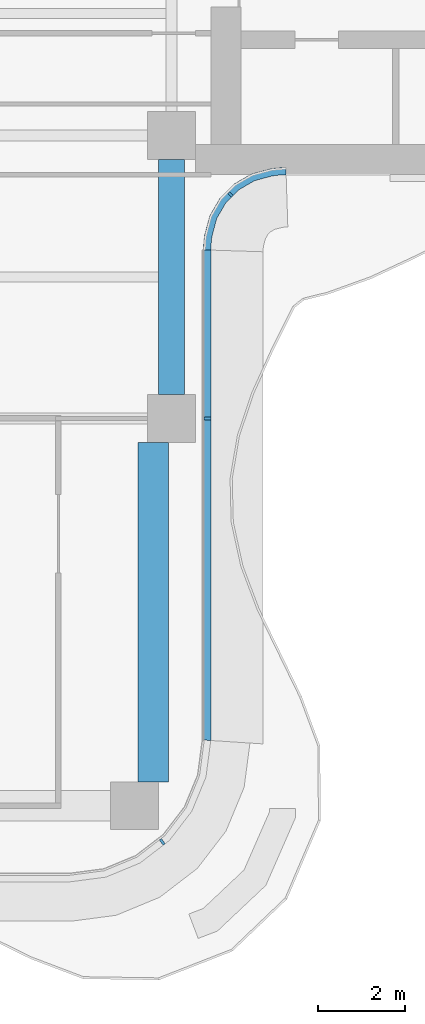
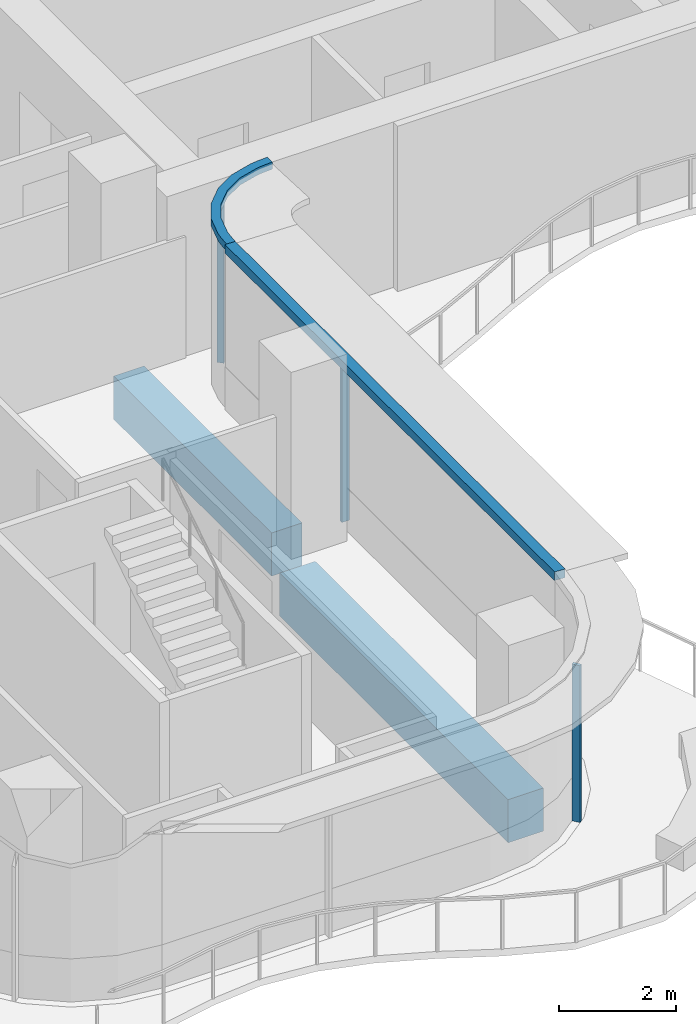
# One storey, part 5 of 16: 5 members, 2 beams, 3 elements without a shape of their own.
"""IFC4 building model written with IfcOpenShell, lengths in metres."""

from ifc_helpers import new_model, si_unit, direction, frame, origin, origin_2d, place, context, subcontext, project, spatial, polyline, rectangle, outline, extrude, source, transform, mapped, material, layer, layer_set, material_profile, profile_set, type_object, element, aggregate, save


model = new_model("IFC4")

# Units and contexts
model_context = context("Model", 3, precision=1e-05, world=origin(), true_north=direction((0.0, 1.0)))
body_context = subcontext(model_context, "Body", "Model", "MODEL_VIEW")
ifc_project = project(units=[si_unit("LENGTHUNIT", "METRE"), si_unit("AREAUNIT", "SQUARE_METRE"), si_unit("VOLUMEUNIT", "CUBIC_METRE"), si_unit("PLANEANGLEUNIT", "RADIAN"), si_unit("MASSUNIT", "GRAM", prefix="KILO")], contexts=[model_context])

# Site, building, storey
site_placement = place(None, origin())
site = spatial("IfcSite", under=ifc_project, at=site_placement, CompositionType="ELEMENT")
building_placement = place(site_placement, origin())
building = spatial("IfcBuilding", under=site, at=building_placement, Name="Trellis Farm Tower", CompositionType="ELEMENT")
storey_placement = place(building_placement, frame((0.0, 0.0, 267.5)))
storey = spatial("IfcBuildingStorey", under=building, at=storey_placement, Name="L60", CompositionType="ELEMENT", Elevation=267.5)

# Beams
ifc_material_1 = material(Name="Concrete C60/75", Category="concrete")
ifc_material_profile_1 = material_profile(ifc_material_1, rectangle(XDim=0.60009765625, YDim=0.89990234375, at=origin_2d()), Name="RC spandrel beam 600x900 C60/75")
ifc_profile_set_1 = profile_set([ifc_material_profile_1], Name="Concrete C60/75")
beam_type_1 = type_object("IfcBeamType", Name="RC spandrel beam 600x900 C60/75", PredefinedType="SPANDREL", material=ifc_profile_set_1)
shared_shape_1 = source(origin(), body_context, "Body", "SweptSolid", [
    extrude(rectangle(XDim=0.60009765625, YDim=0.89990234375, at=origin_2d()), origin(), (0.0, 0.0, 1.0), 5.400146484375),
])
beam_1_placement = place(storey_placement, frame((5.60009765625, -11.550048828125, -0.64990234375), z_axis=(0.0, 1.0, 0.0), x_axis=(-1.0, 0.0, 0.0)))
element("IfcBeam", 1, at=beam_1_placement, inside=storey, type_object=beam_type_1, Name="Girder", PredefinedType="SPANDREL", context=body_context, shape_type="MappedRepresentation", body=[
    mapped(shared_shape_1, transform((0.0, 0.0, 0.0))),
])
ifc_material_profile_2 = material_profile(ifc_material_1, rectangle(XDim=0.699951171875, YDim=0.89990234375, at=origin_2d()), Name="RC spandrel beam 700x900 C60/75")
ifc_profile_set_2 = profile_set([ifc_material_profile_2], Name="Concrete C60/75")
beam_type_2 = type_object("IfcBeamType", Name="RC spandrel beam 700x900 C60/75", PredefinedType="SPANDREL", material=ifc_profile_set_2)
shared_shape_2 = source(origin(), body_context, "Body", "SweptSolid", [
    extrude(rectangle(XDim=0.699951171875, YDim=0.89990234375, at=origin_2d()), origin(), (0.0, 0.0, 1.0), 7.800048828125),
])
beam_2_placement = place(storey_placement, frame((5.175048828125, -20.449951171875, -0.64990234375), z_axis=(0.0, 1.0, 0.0), x_axis=(-1.0, 0.0, 0.0)))
element("IfcBeam", 2, at=beam_2_placement, inside=storey, type_object=beam_type_2, Name="Girder", PredefinedType="SPANDREL", context=body_context, shape_type="MappedRepresentation", body=[
    mapped(shared_shape_2, transform((0.0, 0.0, 0.0))),
])

# Curtain wall, member
ifc_material_2 = material(Name="Aluminium and glass curtain wall", Category="aluminium")
ifc_layer_1 = layer(ifc_material_2, 0.166015625)
ifc_layer_set_1 = layer_set([ifc_layer_1], Name="WINTER GARDEN CURTAIN WALL CW3")
curtain_wall_type_1 = type_object("IfcCurtainWallType", Name="WINTER GARDEN CURTAIN WALL CW3", PredefinedType="NOTDEFINED", material=ifc_layer_set_1)
placement = place(storey_placement, origin())
curtain_wall_1 = element("IfcCurtainWall", 3, at=placement, inside=storey, type_object=curtain_wall_type_1, Name="CW3 002", PredefinedType="NOTDEFINED")
ifc_material_3 = material(Name="Aluminium extrusion 6063-T6", Category="aluminium")
ifc_layer_2 = layer(ifc_material_3, 0.169921875)
ifc_layer_set_2 = layer_set([ifc_layer_2], Name="Aluminium extrusion 6063-T6")
member_type_1 = type_object("IfcMemberType", Name="CW3 TRANSOM 170x150", PredefinedType="USERDEFINED", material=ifc_layer_set_2)
shared_shape_3 = source(origin(), body_context, "Body", "SweptSolid", [
    extrude(outline(polyline([(6.5, -8.2314453125), (6.513916015625, -8.01953125), (6.527587890625, -7.91552734375), (6.63671875, -7.508544921875), (6.846923828125, -7.144287109375), (7.144287109375, -6.846923828125), (7.508544921875, -6.63671875), (7.91552734375, -6.527587890625), (8.01953125, -6.513916015625), (8.2314453125, -6.5), (8.225830078125, -6.330078125), (8.0029296875, -6.3447265625), (7.88232421875, -6.360595703125), (7.44287109375, -6.478271484375), (7.0400390625, -6.7109375), (6.7109375, -7.0400390625), (6.478271484375, -7.44287109375), (6.360595703125, -7.88232421875), (6.3447265625, -8.0029296875), (6.330078125, -8.225830078125), (6.5, -8.2314453125)])), origin(), (0.0, 0.0, 1.0), 0.14990234375),
])
member_1_placement = place(storey_placement, frame((0.0, 0.0, 3.300048828125)))
member_1 = element("IfcMember", 4, at=member_1_placement, type_object=member_type_1, Name="TR3 002", ObjectType="TRANSOM", PredefinedType="USERDEFINED", context=body_context, shape_type="MappedRepresentation", body=[
    mapped(shared_shape_3, transform((0.0, 0.0, 0.0))),
])

ifc_layer_3 = layer(ifc_material_2, 0.18994140625)
ifc_layer_set_3 = layer_set([ifc_layer_3], Name="RIBBON CURTAIN WALL CW1")
curtain_wall_type_2 = type_object("IfcCurtainWallType", Name="RIBBON CURTAIN WALL CW1", PredefinedType="NOTDEFINED", material=ifc_layer_set_3)
curtain_wall_2 = element("IfcCurtainWall", 5, at=placement, inside=storey, type_object=curtain_wall_type_2, Name="CW1 004", PredefinedType="NOTDEFINED")
ifc_material_profile_3 = material_profile(ifc_material_3, rectangle(XDim=0.06005859375, YDim=0.14990234375, at=origin_2d()), Name="MULLION 60x150")
ifc_profile_set_3 = profile_set([ifc_material_profile_3], Name="Aluminium extrusion 6063-T6")
member_type_2 = type_object("IfcMemberType", Name="CW1 MULLION 60x150", PredefinedType="MULLION", material=ifc_profile_set_3)
shared_shape_4 = source(origin(), body_context, "Body", "SweptSolid", [
    extrude(rectangle(XDim=0.06005859375, YDim=0.14990234375, at=origin_2d()), origin(), (0.0, 0.0, 1.0), 3.27001953125),
])
member_2_placement = place(storey_placement, frame((5.385498046875, -21.828369140625, 0.0), z_axis=(0.0, 0.0, 1.0), x_axis=(0.793353340291, 0.608761429009, 0.0)))
member_2 = element("IfcMember", 6, at=member_2_placement, type_object=member_type_2, Name="MU1 004-02", PredefinedType="MULLION", context=body_context, shape_type="MappedRepresentation", body=[
    mapped(shared_shape_4, transform((0.0, 0.0, 0.0))),
])
aggregate(curtain_wall_2, [member_2])

curtain_wall_3 = element("IfcCurtainWall", 7, at=placement, inside=storey, type_object=curtain_wall_type_2, Name="CW1 005", PredefinedType="NOTDEFINED")
member_3_placement = place(storey_placement, frame((6.425048828125, -12.10009765625, 0.0), z_axis=(0.0, 0.0, 1.0), x_axis=(0.0, 1.0, 0.0)))
member_3 = element("IfcMember", 8, at=member_3_placement, type_object=member_type_2, Name="MU1 005-01", PredefinedType="MULLION", context=body_context, shape_type="MappedRepresentation", body=[
    mapped(shared_shape_4, transform((0.0, 0.0, 0.0))),
])

# Member
ifc_material_profile_4 = material_profile(ifc_material_3, rectangle(XDim=0.050048828125, YDim=0.1201171875, at=origin_2d()), Name="MULLION 50x120")
ifc_profile_set_4 = profile_set([ifc_material_profile_4], Name="Aluminium extrusion 6063-T6")
member_type_3 = type_object("IfcMemberType", Name="CW3 MULLION 50x120", PredefinedType="MULLION", material=ifc_profile_set_4)
shared_shape_5 = source(origin(), body_context, "Body", "SweptSolid", [
    extrude(rectangle(XDim=0.050048828125, YDim=0.1201171875, at=origin_2d()), origin(), (0.0, 0.0, 1.0), 3.300048828125),
])
member_4_placement = place(storey_placement, frame((6.953125, -6.953125, 0.0), z_axis=(0.0, 0.0, 1.0), x_axis=(0.707106781187, 0.707106781187, 0.0)))
member_4 = element("IfcMember", 9, at=member_4_placement, type_object=member_type_3, Name="MU3 002-01", PredefinedType="MULLION", context=body_context, shape_type="MappedRepresentation", body=[
    mapped(shared_shape_5, transform((0.0, 0.0, 0.0))),
])

aggregate(curtain_wall_1, [member_4, member_1])

ifc_layer_4 = layer(ifc_material_3, 0.199951171875)
ifc_layer_set_4 = layer_set([ifc_layer_4], Name="Aluminium extrusion 6063-T6")
member_type_4 = type_object("IfcMemberType", Name="CW1 TRANSOM 200x180", PredefinedType="USERDEFINED", material=ifc_layer_set_4)
shared_shape_6 = source(origin(), body_context, "Body", "SweptSolid", [
    extrude(outline(polyline([(6.5, -19.5), (6.5, -8.2314453125), (6.300048828125, -8.224853515625), (6.300048828125, -19.48681640625), (6.5, -19.5)])), origin(), (0.0, 0.0, 1.0), 0.179931640625),
])
member_5_placement = place(storey_placement, frame((0.0, 0.0, 3.27001953125)))
member_5 = element("IfcMember", 10, at=member_5_placement, type_object=member_type_4, Name="TR1 005", ObjectType="TRANSOM", PredefinedType="USERDEFINED", context=body_context, shape_type="MappedRepresentation", body=[
    mapped(shared_shape_6, transform((0.0, 0.0, 0.0))),
])

aggregate(curtain_wall_3, [member_3, member_5])

save(model, "model.ifc")
